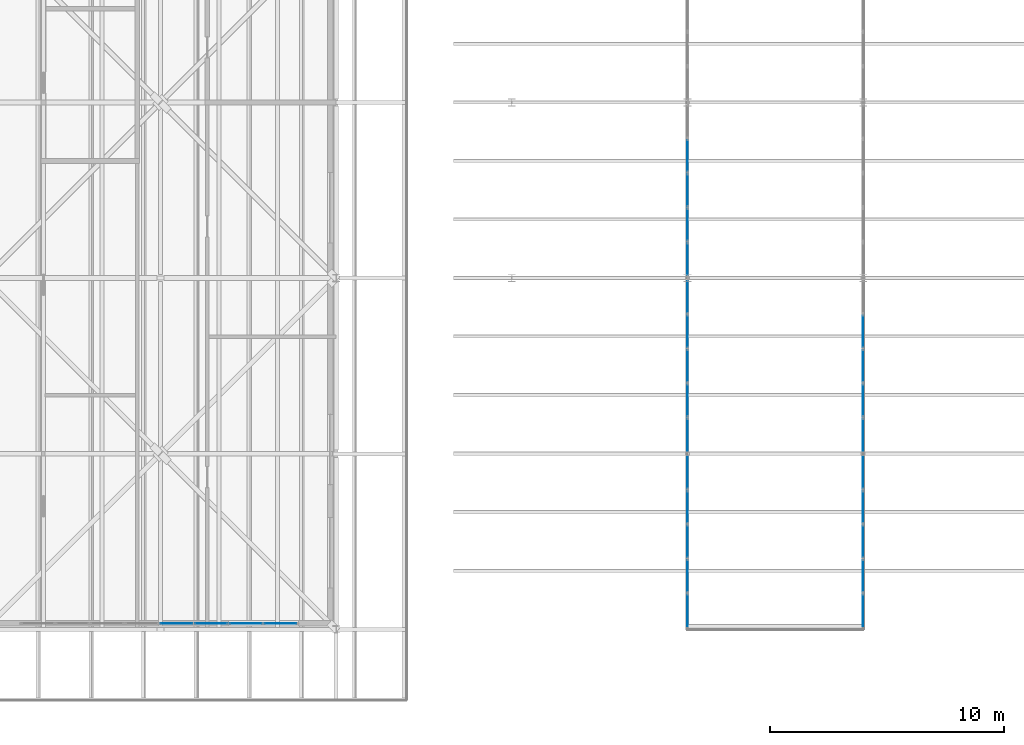
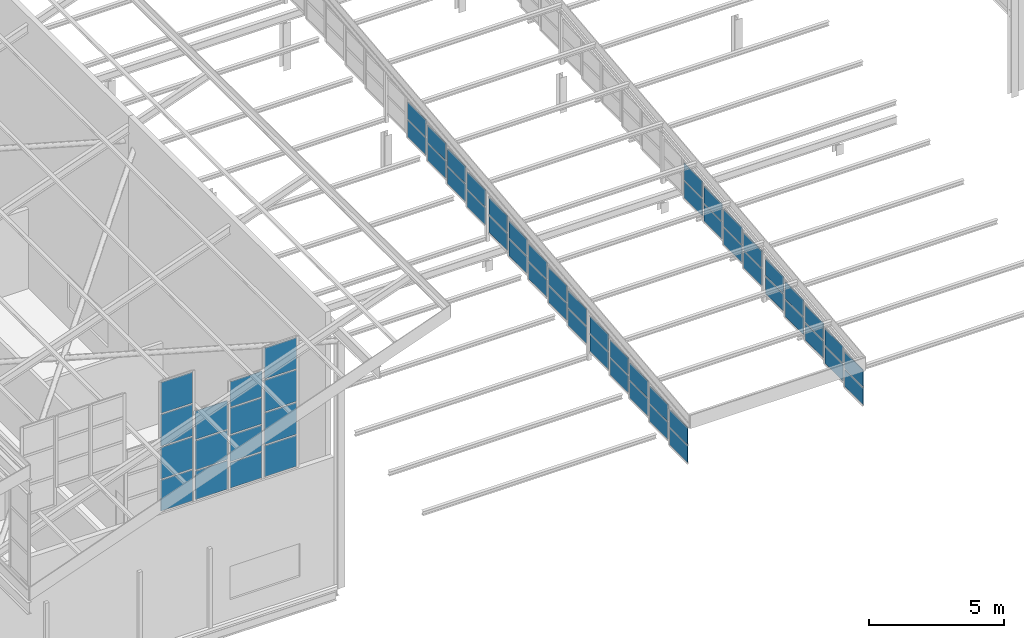
# One storey, part 111 of 483: 61 plates, 27 elements without a shape of their own.
"""IFC4 building model written with IfcOpenShell, lengths in metres."""

from ifc_helpers import new_model, si_unit, direction, frame, origin, origin_2d, place, context, subcontext, project, spatial, rectangle, extrude, material, layer, layer_set, type_object, element, aggregate, save


model = new_model("IFC4")

# Units and contexts
model_context = context("Model", 3, precision=1e-05, world=origin(), true_north=direction((0.0, 1.0)))
body_context = subcontext(model_context, "Body", "Model", "MODEL_VIEW")
ifc_project = project(units=[si_unit("LENGTHUNIT", "METRE"), si_unit("AREAUNIT", "SQUARE_METRE"), si_unit("VOLUMEUNIT", "CUBIC_METRE"), si_unit("PLANEANGLEUNIT", "RADIAN"), si_unit("MASSUNIT", "GRAM", prefix="KILO")], contexts=[model_context])

# Site, building, storey
site_placement = place(None, origin())
site = spatial("IfcSite", under=ifc_project, at=site_placement, CompositionType="ELEMENT")
building_placement = place(site_placement, origin())
building = spatial("IfcBuilding", under=site, at=building_placement, Name="Parallax Yard Mobility Hub", CompositionType="ELEMENT")
storey_placement = place(building_placement, frame((0.0, 0.0, 13.199951171875)))
storey = spatial("IfcBuildingStorey", under=building, at=storey_placement, Name="L04", CompositionType="ELEMENT", Elevation=13.199951171875)

# Curtain wall, plates
ifc_material_1 = material(Name="Thermally broken aluminium curtain wall system", Category="aluminium")
curtain_wall_type = type_object("IfcCurtainWallType", Name="Clerestory glazing run 60 x 120 frame", PredefinedType="NOTDEFINED", material=ifc_material_1)
curtain_wall_1_placement = place(storey_placement, origin())
curtain_wall_1 = element("IfcCurtainWall", 1, at=curtain_wall_1_placement, inside=storey, type_object=curtain_wall_type, Name="Clerestory glazing run Rooftop sports deck south bay 1 level L04", PredefinedType="NOTDEFINED")
ifc_material_2 = material(Name="Laminated low-E double glazing", Category="glass")
ifc_layer = layer(ifc_material_2, 0.028076171875)
ifc_layer_set = layer_set([ifc_layer], Name="Glazing panel 28")
plate_type = type_object("IfcPlateType", Name="Glazing panel 28", PredefinedType="CURTAIN_PANEL", material=ifc_layer_set)
plate_1_placement = place(storey_placement, frame((135.682373046875, 7.754638671875, 5.85986328125), z_axis=(0.0, 0.0, 1.0), x_axis=(1.0, 0.0, 0.0)))
plate_1 = element("IfcPlate", 2, at=plate_1_placement, type_object=plate_type, Name="CW4 panel 1.1", PredefinedType="CURTAIN_PANEL", context=body_context, shape_type="SweptSolid", body=[
    extrude(rectangle(XDim=1.36083984375, YDim=0.028076171875, at=origin_2d()), origin(), (0.0, 0.0, 1.0), 1.394775390625),
])
plate_2_placement = place(storey_placement, frame((135.682373046875, 7.754638671875, 7.31494140625), z_axis=(0.0, 0.0, 1.0), x_axis=(1.0, 0.0, 0.0)))
plate_2 = element("IfcPlate", 3, at=plate_2_placement, type_object=plate_type, Name="CW4 panel 1.2", PredefinedType="CURTAIN_PANEL", context=body_context, shape_type="SweptSolid", body=[
    extrude(rectangle(XDim=1.36083984375, YDim=0.028076171875, at=origin_2d()), origin(), (0.0, 0.0, 1.0), 1.424560546875),
])
plate_3_placement = place(storey_placement, frame((135.682373046875, 7.754638671875, 8.79931640625), z_axis=(0.0, 0.0, 1.0), x_axis=(1.0, 0.0, 0.0)))
plate_3 = element("IfcPlate", 4, at=plate_3_placement, type_object=plate_type, Name="CW4 panel 1.3", PredefinedType="CURTAIN_PANEL", context=body_context, shape_type="SweptSolid", body=[
    extrude(rectangle(XDim=1.36083984375, YDim=0.028076171875, at=origin_2d()), origin(), (0.0, 0.0, 1.0), 1.424560546875),
])
plate_4_placement = place(storey_placement, frame((135.682373046875, 7.754638671875, 10.28369140625), z_axis=(0.0, 0.0, 1.0), x_axis=(1.0, 0.0, 0.0)))
plate_4 = element("IfcPlate", 5, at=plate_4_placement, type_object=plate_type, Name="CW4 panel 1.4", PredefinedType="CURTAIN_PANEL", context=body_context, shape_type="SweptSolid", body=[
    extrude(rectangle(XDim=1.36083984375, YDim=0.028076171875, at=origin_2d()), origin(), (0.0, 0.0, 1.0), 1.394775390625),
])
aggregate(curtain_wall_1, [plate_1, plate_2, plate_3, plate_4])

curtain_wall_2_placement = place(storey_placement, origin())
curtain_wall_2 = element("IfcCurtainWall", 6, at=curtain_wall_2_placement, inside=storey, type_object=curtain_wall_type, Name="Clerestory glazing run Rooftop sports deck south bay 1 level L04", PredefinedType="NOTDEFINED")
plate_5_placement = place(storey_placement, frame((137.163330078125, 7.754638671875, 5.860107421875), z_axis=(0.0, 0.0, 1.0), x_axis=(1.0, 0.0, 0.0)))
plate_5 = element("IfcPlate", 7, at=plate_5_placement, type_object=plate_type, Name="CW4 panel 1.1", PredefinedType="CURTAIN_PANEL", context=body_context, shape_type="SweptSolid", body=[
    extrude(rectangle(XDim=1.36083984375, YDim=0.028076171875, at=origin_2d()), origin(), (0.0, 0.0, 1.0), 1.28515625),
])
plate_6_placement = place(storey_placement, frame((137.163330078125, 7.754638671875, 7.205078125), z_axis=(0.0, 0.0, 1.0), x_axis=(1.0, 0.0, 0.0)))
plate_6 = element("IfcPlate", 8, at=plate_6_placement, type_object=plate_type, Name="CW4 panel 1.2", PredefinedType="CURTAIN_PANEL", context=body_context, shape_type="SweptSolid", body=[
    extrude(rectangle(XDim=1.36083984375, YDim=0.028076171875, at=origin_2d()), origin(), (0.0, 0.0, 1.0), 1.315185546875),
])
plate_7_placement = place(storey_placement, frame((137.163330078125, 7.754638671875, 8.580322265625), z_axis=(0.0, 0.0, 1.0), x_axis=(1.0, 0.0, 0.0)))
plate_7 = element("IfcPlate", 9, at=plate_7_placement, type_object=plate_type, Name="CW4 panel 1.3", PredefinedType="CURTAIN_PANEL", context=body_context, shape_type="SweptSolid", body=[
    extrude(rectangle(XDim=1.36083984375, YDim=0.028076171875, at=origin_2d()), origin(), (0.0, 0.0, 1.0), 1.28515625),
])
aggregate(curtain_wall_2, [plate_5, plate_6, plate_7])

curtain_wall_3_placement = place(storey_placement, origin())
curtain_wall_3 = element("IfcCurtainWall", 10, at=curtain_wall_3_placement, inside=storey, type_object=curtain_wall_type, Name="Clerestory glazing run Rooftop sports deck south bay 1 level L04", PredefinedType="NOTDEFINED")
plate_8_placement = place(storey_placement, frame((138.644287109375, 7.754638671875, 5.85986328125), z_axis=(0.0, 0.0, 1.0), x_axis=(1.0, 0.0, 0.0)))
plate_8 = element("IfcPlate", 11, at=plate_8_placement, type_object=plate_type, Name="CW4 panel 1.1", PredefinedType="CURTAIN_PANEL", context=body_context, shape_type="SweptSolid", body=[
    extrude(rectangle(XDim=1.36083984375, YDim=0.028076171875, at=origin_2d()), origin(), (0.0, 0.0, 1.0), 1.143798828125),
])
plate_9_placement = place(storey_placement, frame((138.644287109375, 7.754638671875, 7.06396484375), z_axis=(0.0, 0.0, 1.0), x_axis=(1.0, 0.0, 0.0)))
plate_9 = element("IfcPlate", 12, at=plate_9_placement, type_object=plate_type, Name="CW4 panel 1.2", PredefinedType="CURTAIN_PANEL", context=body_context, shape_type="SweptSolid", body=[
    extrude(rectangle(XDim=1.36083984375, YDim=0.028076171875, at=origin_2d()), origin(), (0.0, 0.0, 1.0), 1.173828125),
])
plate_10_placement = place(storey_placement, frame((138.644287109375, 7.754638671875, 8.2978515625), z_axis=(0.0, 0.0, 1.0), x_axis=(1.0, 0.0, 0.0)))
plate_10 = element("IfcPlate", 13, at=plate_10_placement, type_object=plate_type, Name="CW4 panel 1.3", PredefinedType="CURTAIN_PANEL", context=body_context, shape_type="SweptSolid", body=[
    extrude(rectangle(XDim=1.36083984375, YDim=0.028076171875, at=origin_2d()), origin(), (0.0, 0.0, 1.0), 1.173828125),
])
plate_11_placement = place(storey_placement, frame((138.644287109375, 7.754638671875, 9.53173828125), z_axis=(0.0, 0.0, 1.0), x_axis=(1.0, 0.0, 0.0)))
plate_11 = element("IfcPlate", 14, at=plate_11_placement, type_object=plate_type, Name="CW4 panel 1.4", PredefinedType="CURTAIN_PANEL", context=body_context, shape_type="SweptSolid", body=[
    extrude(rectangle(XDim=1.36083984375, YDim=0.028076171875, at=origin_2d()), origin(), (0.0, 0.0, 1.0), 1.143798828125),
])
aggregate(curtain_wall_3, [plate_8, plate_9, plate_10, plate_11])

curtain_wall_4_placement = place(storey_placement, origin())
curtain_wall_4 = element("IfcCurtainWall", 15, at=curtain_wall_4_placement, inside=storey, type_object=curtain_wall_type, Name="Clerestory glazing run Rooftop sports deck south bay 1 level L04", PredefinedType="NOTDEFINED")
plate_12_placement = place(storey_placement, frame((140.125244140625, 7.754638671875, 5.85986328125), z_axis=(0.0, 0.0, 1.0), x_axis=(1.0, 0.0, 0.0)))
plate_12 = element("IfcPlate", 16, at=plate_12_placement, type_object=plate_type, Name="CW4 panel 1.1", PredefinedType="CURTAIN_PANEL", context=body_context, shape_type="SweptSolid", body=[
    extrude(rectangle(XDim=1.36083984375, YDim=0.028076171875, at=origin_2d()), origin(), (0.0, 0.0, 1.0), 1.394775390625),
])
plate_13_placement = place(storey_placement, frame((140.125244140625, 7.754638671875, 7.31494140625), z_axis=(0.0, 0.0, 1.0), x_axis=(1.0, 0.0, 0.0)))
plate_13 = element("IfcPlate", 17, at=plate_13_placement, type_object=plate_type, Name="CW4 panel 1.2", PredefinedType="CURTAIN_PANEL", context=body_context, shape_type="SweptSolid", body=[
    extrude(rectangle(XDim=1.36083984375, YDim=0.028076171875, at=origin_2d()), origin(), (0.0, 0.0, 1.0), 1.424560546875),
])
plate_14_placement = place(storey_placement, frame((140.125244140625, 7.754638671875, 8.79931640625), z_axis=(0.0, 0.0, 1.0), x_axis=(1.0, 0.0, 0.0)))
plate_14 = element("IfcPlate", 18, at=plate_14_placement, type_object=plate_type, Name="CW4 panel 1.3", PredefinedType="CURTAIN_PANEL", context=body_context, shape_type="SweptSolid", body=[
    extrude(rectangle(XDim=1.36083984375, YDim=0.028076171875, at=origin_2d()), origin(), (0.0, 0.0, 1.0), 1.424560546875),
])
plate_15_placement = place(storey_placement, frame((140.125244140625, 7.754638671875, 10.28369140625), z_axis=(0.0, 0.0, 1.0), x_axis=(1.0, 0.0, 0.0)))
plate_15 = element("IfcPlate", 19, at=plate_15_placement, type_object=plate_type, Name="CW4 panel 1.4", PredefinedType="CURTAIN_PANEL", context=body_context, shape_type="SweptSolid", body=[
    extrude(rectangle(XDim=1.36083984375, YDim=0.028076171875, at=origin_2d()), origin(), (0.0, 0.0, 1.0), 1.394775390625),
])
aggregate(curtain_wall_4, [plate_12, plate_13, plate_14, plate_15])

curtain_wall_5_placement = place(storey_placement, origin())
curtain_wall_5 = element("IfcCurtainWall", 20, at=curtain_wall_5_placement, inside=storey, type_object=curtain_wall_type, Name="Clerestory glazing run Bicycle and shared-mobility hall roof step 1 bay 1 level L02", PredefinedType="NOTDEFINED")
plate_16_placement = place(storey_placement, frame((157.5, 8.31103515625, 0.24853515625), z_axis=(0.0, 0.0, 1.0), x_axis=(0.0, 1.0, 0.0)))
plate_16 = element("IfcPlate", 21, at=plate_16_placement, type_object=plate_type, Name="CW4 panel 1.1", PredefinedType="CURTAIN_PANEL", context=body_context, shape_type="SweptSolid", body=[
    extrude(rectangle(XDim=1.349609375, YDim=0.028076171875, at=origin_2d()), origin(), (0.0, 0.0, 1.0), 0.757080078125),
])
plate_17_placement = place(storey_placement, frame((157.5, 8.31103515625, 1.0654296875), z_axis=(0.0, 0.0, 1.0), x_axis=(0.0, 1.0, 0.0)))
plate_17 = element("IfcPlate", 22, at=plate_17_placement, type_object=plate_type, Name="CW4 panel 1.2", PredefinedType="CURTAIN_PANEL", context=body_context, shape_type="SweptSolid", body=[
    extrude(rectangle(XDim=1.349609375, YDim=0.028076171875, at=origin_2d()), origin(), (0.0, 0.0, 1.0), 0.757080078125),
])
aggregate(curtain_wall_5, [plate_16, plate_17])

curtain_wall_6_placement = place(storey_placement, origin())
curtain_wall_6 = element("IfcCurtainWall", 23, at=curtain_wall_6_placement, inside=storey, type_object=curtain_wall_type, Name="Clerestory glazing run Bicycle and shared-mobility hall roof step 1 bay 1 level L02", PredefinedType="NOTDEFINED")
plate_18_placement = place(storey_placement, frame((157.5, 9.780517578125, 0.41162109375), z_axis=(0.0, 0.0, 1.0), x_axis=(0.0, 1.0, 0.0)))
plate_18 = element("IfcPlate", 24, at=plate_18_placement, type_object=plate_type, Name="CW4 panel 1.1", PredefinedType="CURTAIN_PANEL", context=body_context, shape_type="SweptSolid", body=[
    extrude(rectangle(XDim=1.349609375, YDim=0.028076171875, at=origin_2d()), origin(), (0.0, 0.0, 1.0), 0.7587890625),
])
plate_19_placement = place(storey_placement, frame((157.5, 9.780517578125, 1.23046875), z_axis=(0.0, 0.0, 1.0), x_axis=(0.0, 1.0, 0.0)))
plate_19 = element("IfcPlate", 25, at=plate_19_placement, type_object=plate_type, Name="CW4 panel 1.2", PredefinedType="CURTAIN_PANEL", context=body_context, shape_type="SweptSolid", body=[
    extrude(rectangle(XDim=1.349609375, YDim=0.028076171875, at=origin_2d()), origin(), (0.0, 0.0, 1.0), 0.7587890625),
])
aggregate(curtain_wall_6, [plate_18, plate_19])

curtain_wall_7_placement = place(storey_placement, origin())
curtain_wall_7 = element("IfcCurtainWall", 26, at=curtain_wall_7_placement, inside=storey, type_object=curtain_wall_type, Name="Clerestory glazing run Bicycle and shared-mobility hall roof step 1 bay 1 level L02", PredefinedType="NOTDEFINED")
plate_20_placement = place(storey_placement, frame((157.5, 11.25, 0.57470703125), z_axis=(0.0, 0.0, 1.0), x_axis=(0.0, 1.0, 0.0)))
plate_20 = element("IfcPlate", 27, at=plate_20_placement, type_object=plate_type, Name="CW4 panel 1.1", PredefinedType="CURTAIN_PANEL", context=body_context, shape_type="SweptSolid", body=[
    extrude(rectangle(XDim=1.349609375, YDim=0.028076171875, at=origin_2d()), origin(), (0.0, 0.0, 1.0), 0.760498046875),
])
plate_21_placement = place(storey_placement, frame((157.5, 11.25, 1.3955078125), z_axis=(0.0, 0.0, 1.0), x_axis=(0.0, 1.0, 0.0)))
plate_21 = element("IfcPlate", 28, at=plate_21_placement, type_object=plate_type, Name="CW4 panel 1.2", PredefinedType="CURTAIN_PANEL", context=body_context, shape_type="SweptSolid", body=[
    extrude(rectangle(XDim=1.349609375, YDim=0.028076171875, at=origin_2d()), origin(), (0.0, 0.0, 1.0), 0.760498046875),
])
aggregate(curtain_wall_7, [plate_20, plate_21])

curtain_wall_8_placement = place(storey_placement, origin())
curtain_wall_8 = element("IfcCurtainWall", 29, at=curtain_wall_8_placement, inside=storey, type_object=curtain_wall_type, Name="Clerestory glazing run Bicycle and shared-mobility hall roof step 1 bay 1 level L02", PredefinedType="NOTDEFINED")
plate_22_placement = place(storey_placement, frame((157.5, 12.719482421875, 0.73828125), z_axis=(0.0, 0.0, 1.0), x_axis=(0.0, 1.0, 0.0)))
plate_22 = element("IfcPlate", 30, at=plate_22_placement, type_object=plate_type, Name="CW4 panel 1.1", PredefinedType="CURTAIN_PANEL", context=body_context, shape_type="SweptSolid", body=[
    extrude(rectangle(XDim=1.349609375, YDim=0.028076171875, at=origin_2d()), origin(), (0.0, 0.0, 1.0), 0.756591796875),
])
plate_23_placement = place(storey_placement, frame((157.5, 12.719482421875, 1.5546875), z_axis=(0.0, 0.0, 1.0), x_axis=(0.0, 1.0, 0.0)))
plate_23 = element("IfcPlate", 31, at=plate_23_placement, type_object=plate_type, Name="CW4 panel 1.2", PredefinedType="CURTAIN_PANEL", context=body_context, shape_type="SweptSolid", body=[
    extrude(rectangle(XDim=1.349609375, YDim=0.028076171875, at=origin_2d()), origin(), (0.0, 0.0, 1.0), 0.756591796875),
])
aggregate(curtain_wall_8, [plate_22, plate_23])

curtain_wall_9_placement = place(storey_placement, origin())
curtain_wall_9 = element("IfcCurtainWall", 32, at=curtain_wall_9_placement, inside=storey, type_object=curtain_wall_type, Name="Clerestory glazing run Bicycle and shared-mobility hall roof step 1 bay 1 level L02", PredefinedType="NOTDEFINED")
plate_24_placement = place(storey_placement, frame((157.5, 14.18896484375, 0.9013671875), z_axis=(0.0, 0.0, 1.0), x_axis=(0.0, 1.0, 0.0)))
plate_24 = element("IfcPlate", 33, at=plate_24_placement, type_object=plate_type, Name="CW4 panel 1.1", PredefinedType="CURTAIN_PANEL", context=body_context, shape_type="SweptSolid", body=[
    extrude(rectangle(XDim=1.349609375, YDim=0.028076171875, at=origin_2d()), origin(), (0.0, 0.0, 1.0), 0.75830078125),
])
plate_25_placement = place(storey_placement, frame((157.5, 14.18896484375, 1.7197265625), z_axis=(0.0, 0.0, 1.0), x_axis=(0.0, 1.0, 0.0)))
plate_25 = element("IfcPlate", 34, at=plate_25_placement, type_object=plate_type, Name="CW4 panel 1.2", PredefinedType="CURTAIN_PANEL", context=body_context, shape_type="SweptSolid", body=[
    extrude(rectangle(XDim=1.349609375, YDim=0.028076171875, at=origin_2d()), origin(), (0.0, 0.0, 1.0), 0.75830078125),
])
aggregate(curtain_wall_9, [plate_24, plate_25])

curtain_wall_10_placement = place(storey_placement, origin())
curtain_wall_10 = element("IfcCurtainWall", 35, at=curtain_wall_10_placement, inside=storey, type_object=curtain_wall_type, Name="Clerestory glazing run Bicycle and shared-mobility hall roof step 1 bay 2 level L02", PredefinedType="NOTDEFINED")
plate_26_placement = place(storey_placement, frame((157.5, 15.81103515625, 1.08154296875), z_axis=(0.0, 0.0, 1.0), x_axis=(0.0, 1.0, 0.0)))
plate_26 = element("IfcPlate", 36, at=plate_26_placement, type_object=plate_type, Name="CW4 panel 1.1", PredefinedType="CURTAIN_PANEL", context=body_context, shape_type="SweptSolid", body=[
    extrude(rectangle(XDim=1.349609375, YDim=0.028076171875, at=origin_2d()), origin(), (0.0, 0.0, 1.0), 0.757080078125),
])
plate_27_placement = place(storey_placement, frame((157.5, 15.81103515625, 1.89892578125), z_axis=(0.0, 0.0, 1.0), x_axis=(0.0, 1.0, 0.0)))
plate_27 = element("IfcPlate", 37, at=plate_27_placement, type_object=plate_type, Name="CW4 panel 1.2", PredefinedType="CURTAIN_PANEL", context=body_context, shape_type="SweptSolid", body=[
    extrude(rectangle(XDim=1.349609375, YDim=0.028076171875, at=origin_2d()), origin(), (0.0, 0.0, 1.0), 0.757080078125),
])
aggregate(curtain_wall_10, [plate_26, plate_27])

curtain_wall_11_placement = place(storey_placement, origin())
curtain_wall_11 = element("IfcCurtainWall", 38, at=curtain_wall_11_placement, inside=storey, type_object=curtain_wall_type, Name="Clerestory glazing run Bicycle and shared-mobility hall roof step 1 bay 2 level L02", PredefinedType="NOTDEFINED")
plate_28_placement = place(storey_placement, frame((157.5, 17.280517578125, 1.244873046875), z_axis=(0.0, 0.0, 1.0), x_axis=(0.0, 1.0, 0.0)))
plate_28 = element("IfcPlate", 39, at=plate_28_placement, type_object=plate_type, Name="CW4 panel 1.1", PredefinedType="CURTAIN_PANEL", context=body_context, shape_type="SweptSolid", body=[
    extrude(rectangle(XDim=1.349609375, YDim=0.028076171875, at=origin_2d()), origin(), (0.0, 0.0, 1.0), 0.7587890625),
])
plate_29_placement = place(storey_placement, frame((157.5, 17.280517578125, 2.063720703125), z_axis=(0.0, 0.0, 1.0), x_axis=(0.0, 1.0, 0.0)))
plate_29 = element("IfcPlate", 40, at=plate_29_placement, type_object=plate_type, Name="CW4 panel 1.2", PredefinedType="CURTAIN_PANEL", context=body_context, shape_type="SweptSolid", body=[
    extrude(rectangle(XDim=1.349609375, YDim=0.028076171875, at=origin_2d()), origin(), (0.0, 0.0, 1.0), 0.7587890625),
])
aggregate(curtain_wall_11, [plate_28, plate_29])

curtain_wall_12_placement = place(storey_placement, origin())
curtain_wall_12 = element("IfcCurtainWall", 41, at=curtain_wall_12_placement, inside=storey, type_object=curtain_wall_type, Name="Clerestory glazing run Bicycle and shared-mobility hall roof step 1 bay 2 level L02", PredefinedType="NOTDEFINED")
plate_30_placement = place(storey_placement, frame((157.5, 18.75, 1.408203125), z_axis=(0.0, 0.0, 1.0), x_axis=(0.0, 1.0, 0.0)))
plate_30 = element("IfcPlate", 42, at=plate_30_placement, type_object=plate_type, Name="CW4 panel 1.1", PredefinedType="CURTAIN_PANEL", context=body_context, shape_type="SweptSolid", body=[
    extrude(rectangle(XDim=1.349609375, YDim=0.028076171875, at=origin_2d()), origin(), (0.0, 0.0, 1.0), 0.760498046875),
])
plate_31_placement = place(storey_placement, frame((157.5, 18.75, 2.228515625), z_axis=(0.0, 0.0, 1.0), x_axis=(0.0, 1.0, 0.0)))
plate_31 = element("IfcPlate", 43, at=plate_31_placement, type_object=plate_type, Name="CW4 panel 1.2", PredefinedType="CURTAIN_PANEL", context=body_context, shape_type="SweptSolid", body=[
    extrude(rectangle(XDim=1.349609375, YDim=0.028076171875, at=origin_2d()), origin(), (0.0, 0.0, 1.0), 0.760498046875),
])
aggregate(curtain_wall_12, [plate_30, plate_31])

curtain_wall_13_placement = place(storey_placement, origin())
curtain_wall_13 = element("IfcCurtainWall", 44, at=curtain_wall_13_placement, inside=storey, type_object=curtain_wall_type, Name="Clerestory glazing run Bicycle and shared-mobility hall roof step 1 bay 2 level L02", PredefinedType="NOTDEFINED")
plate_32_placement = place(storey_placement, frame((157.5, 20.219482421875, 1.5712890625), z_axis=(0.0, 0.0, 1.0), x_axis=(0.0, 1.0, 0.0)))
plate_32 = element("IfcPlate", 45, at=plate_32_placement, type_object=plate_type, Name="CW4 panel 1.1", PredefinedType="CURTAIN_PANEL", context=body_context, shape_type="SweptSolid", body=[
    extrude(rectangle(XDim=1.349609375, YDim=0.028076171875, at=origin_2d()), origin(), (0.0, 0.0, 1.0), 0.756591796875),
])
plate_33_placement = place(storey_placement, frame((157.5, 20.219482421875, 2.38818359375), z_axis=(0.0, 0.0, 1.0), x_axis=(0.0, 1.0, 0.0)))
plate_33 = element("IfcPlate", 46, at=plate_33_placement, type_object=plate_type, Name="CW4 panel 1.2", PredefinedType="CURTAIN_PANEL", context=body_context, shape_type="SweptSolid", body=[
    extrude(rectangle(XDim=1.349609375, YDim=0.028076171875, at=origin_2d()), origin(), (0.0, 0.0, 1.0), 0.756591796875),
])
aggregate(curtain_wall_13, [plate_32, plate_33])

curtain_wall_14_placement = place(storey_placement, origin())
curtain_wall_14 = element("IfcCurtainWall", 47, at=curtain_wall_14_placement, inside=storey, type_object=curtain_wall_type, Name="Clerestory glazing run Bicycle and shared-mobility hall roof step 1 bay 2 level L02", PredefinedType="NOTDEFINED")
plate_34_placement = place(storey_placement, frame((157.5, 21.68896484375, 1.73486328125), z_axis=(0.0, 0.0, 1.0), x_axis=(0.0, 1.0, 0.0)))
plate_34 = element("IfcPlate", 48, at=plate_34_placement, type_object=plate_type, Name="CW4 panel 1.1", PredefinedType="CURTAIN_PANEL", context=body_context, shape_type="SweptSolid", body=[
    extrude(rectangle(XDim=1.349609375, YDim=0.028076171875, at=origin_2d()), origin(), (0.0, 0.0, 1.0), 0.75830078125),
])
plate_35_placement = place(storey_placement, frame((157.5, 21.68896484375, 2.55322265625), z_axis=(0.0, 0.0, 1.0), x_axis=(0.0, 1.0, 0.0)))
plate_35 = element("IfcPlate", 49, at=plate_35_placement, type_object=plate_type, Name="CW4 panel 1.2", PredefinedType="CURTAIN_PANEL", context=body_context, shape_type="SweptSolid", body=[
    extrude(rectangle(XDim=1.349609375, YDim=0.028076171875, at=origin_2d()), origin(), (0.0, 0.0, 1.0), 0.75830078125),
])
aggregate(curtain_wall_14, [plate_34, plate_35])

curtain_wall_15_placement = place(storey_placement, origin())
curtain_wall_15 = element("IfcCurtainWall", 50, at=curtain_wall_15_placement, inside=storey, type_object=curtain_wall_type, Name="Clerestory glazing run Bicycle and shared-mobility hall roof step 1 bay 3 level L02", PredefinedType="NOTDEFINED")
plate_36_placement = place(storey_placement, frame((157.5, 23.31103515625, 1.9150390625), z_axis=(0.0, 0.0, 1.0), x_axis=(0.0, 1.0, 0.0)))
plate_36 = element("IfcPlate", 51, at=plate_36_placement, type_object=plate_type, Name="CW4 panel 1.1", PredefinedType="CURTAIN_PANEL", context=body_context, shape_type="SweptSolid", body=[
    extrude(rectangle(XDim=1.349609375, YDim=0.028076171875, at=origin_2d()), origin(), (0.0, 0.0, 1.0), 0.757080078125),
])
plate_37_placement = place(storey_placement, frame((157.5, 23.31103515625, 2.73193359375), z_axis=(0.0, 0.0, 1.0), x_axis=(0.0, 1.0, 0.0)))
plate_37 = element("IfcPlate", 52, at=plate_37_placement, type_object=plate_type, Name="CW4 panel 1.2", PredefinedType="CURTAIN_PANEL", context=body_context, shape_type="SweptSolid", body=[
    extrude(rectangle(XDim=1.349609375, YDim=0.028076171875, at=origin_2d()), origin(), (0.0, 0.0, 1.0), 0.757080078125),
])
aggregate(curtain_wall_15, [plate_36, plate_37])

curtain_wall_16_placement = place(storey_placement, origin())
curtain_wall_16 = element("IfcCurtainWall", 53, at=curtain_wall_16_placement, inside=storey, type_object=curtain_wall_type, Name="Clerestory glazing run Bicycle and shared-mobility hall roof step 1 bay 3 level L02", PredefinedType="NOTDEFINED")
plate_38_placement = place(storey_placement, frame((157.5, 24.780517578125, 2.078369140625), z_axis=(0.0, 0.0, 1.0), x_axis=(0.0, 1.0, 0.0)))
plate_38 = element("IfcPlate", 54, at=plate_38_placement, type_object=plate_type, Name="CW4 panel 1.1", PredefinedType="CURTAIN_PANEL", context=body_context, shape_type="SweptSolid", body=[
    extrude(rectangle(XDim=1.349609375, YDim=0.028076171875, at=origin_2d()), origin(), (0.0, 0.0, 1.0), 0.7587890625),
])
plate_39_placement = place(storey_placement, frame((157.5, 24.780517578125, 2.89697265625), z_axis=(0.0, 0.0, 1.0), x_axis=(0.0, 1.0, 0.0)))
plate_39 = element("IfcPlate", 55, at=plate_39_placement, type_object=plate_type, Name="CW4 panel 1.2", PredefinedType="CURTAIN_PANEL", context=body_context, shape_type="SweptSolid", body=[
    extrude(rectangle(XDim=1.349609375, YDim=0.028076171875, at=origin_2d()), origin(), (0.0, 0.0, 1.0), 0.7587890625),
])
aggregate(curtain_wall_16, [plate_38, plate_39])

curtain_wall_17_placement = place(storey_placement, origin())
curtain_wall_17 = element("IfcCurtainWall", 56, at=curtain_wall_17_placement, inside=storey, type_object=curtain_wall_type, Name="Clerestory glazing run Bicycle and shared-mobility hall roof step 1 bay 3 level L02", PredefinedType="NOTDEFINED")
plate_40_placement = place(storey_placement, frame((157.5, 26.25, 2.24169921875), z_axis=(0.0, 0.0, 1.0), x_axis=(0.0, 1.0, 0.0)))
plate_40 = element("IfcPlate", 57, at=plate_40_placement, type_object=plate_type, Name="CW4 panel 1.1", PredefinedType="CURTAIN_PANEL", context=body_context, shape_type="SweptSolid", body=[
    extrude(rectangle(XDim=1.349609375, YDim=0.028076171875, at=origin_2d()), origin(), (0.0, 0.0, 1.0), 0.760498046875),
])
plate_41_placement = place(storey_placement, frame((157.5, 26.25, 3.06201171875), z_axis=(0.0, 0.0, 1.0), x_axis=(0.0, 1.0, 0.0)))
plate_41 = element("IfcPlate", 58, at=plate_41_placement, type_object=plate_type, Name="CW4 panel 1.2", PredefinedType="CURTAIN_PANEL", context=body_context, shape_type="SweptSolid", body=[
    extrude(rectangle(XDim=1.349609375, YDim=0.028076171875, at=origin_2d()), origin(), (0.0, 0.0, 1.0), 0.760498046875),
])
aggregate(curtain_wall_17, [plate_40, plate_41])

curtain_wall_18_placement = place(storey_placement, origin())
curtain_wall_18 = element("IfcCurtainWall", 59, at=curtain_wall_18_placement, inside=storey, type_object=curtain_wall_type, Name="Clerestory glazing run Bicycle and shared-mobility hall roof step 1 bay 3 level L02", PredefinedType="NOTDEFINED")
plate_42_placement = place(storey_placement, frame((157.5, 27.719482421875, 2.40478515625), z_axis=(0.0, 0.0, 1.0), x_axis=(0.0, 1.0, 0.0)))
plate_42 = element("IfcPlate", 60, at=plate_42_placement, type_object=plate_type, Name="CW4 panel 1.1", PredefinedType="CURTAIN_PANEL", context=body_context, shape_type="SweptSolid", body=[
    extrude(rectangle(XDim=1.349609375, YDim=0.028076171875, at=origin_2d()), origin(), (0.0, 0.0, 1.0), 0.756591796875),
])
plate_43_placement = place(storey_placement, frame((157.5, 27.719482421875, 3.2216796875), z_axis=(0.0, 0.0, 1.0), x_axis=(0.0, 1.0, 0.0)))
plate_43 = element("IfcPlate", 61, at=plate_43_placement, type_object=plate_type, Name="CW4 panel 1.2", PredefinedType="CURTAIN_PANEL", context=body_context, shape_type="SweptSolid", body=[
    extrude(rectangle(XDim=1.349609375, YDim=0.028076171875, at=origin_2d()), origin(), (0.0, 0.0, 1.0), 0.756591796875),
])
aggregate(curtain_wall_18, [plate_42, plate_43])

curtain_wall_19_placement = place(storey_placement, origin())
curtain_wall_19 = element("IfcCurtainWall", 62, at=curtain_wall_19_placement, inside=storey, type_object=curtain_wall_type, Name="Clerestory glazing run Bicycle and shared-mobility hall roof step 2 bay 1 level L02", PredefinedType="NOTDEFINED")
plate_44_placement = place(storey_placement, frame((165.0, 8.31103515625, 0.24853515625), z_axis=(0.0, 0.0, 1.0), x_axis=(0.0, 1.0, 0.0)))
plate_44 = element("IfcPlate", 63, at=plate_44_placement, type_object=plate_type, Name="CW4 panel 1.1", PredefinedType="CURTAIN_PANEL", context=body_context, shape_type="SweptSolid", body=[
    extrude(rectangle(XDim=1.349609375, YDim=0.028076171875, at=origin_2d()), origin(), (0.0, 0.0, 1.0), 0.757080078125),
])
plate_45_placement = place(storey_placement, frame((165.0, 8.31103515625, 1.0654296875), z_axis=(0.0, 0.0, 1.0), x_axis=(0.0, 1.0, 0.0)))
plate_45 = element("IfcPlate", 64, at=plate_45_placement, type_object=plate_type, Name="CW4 panel 1.2", PredefinedType="CURTAIN_PANEL", context=body_context, shape_type="SweptSolid", body=[
    extrude(rectangle(XDim=1.349609375, YDim=0.028076171875, at=origin_2d()), origin(), (0.0, 0.0, 1.0), 0.757080078125),
])
aggregate(curtain_wall_19, [plate_44, plate_45])

curtain_wall_20_placement = place(storey_placement, origin())
curtain_wall_20 = element("IfcCurtainWall", 65, at=curtain_wall_20_placement, inside=storey, type_object=curtain_wall_type, Name="Clerestory glazing run Bicycle and shared-mobility hall roof step 2 bay 1 level L02", PredefinedType="NOTDEFINED")
plate_46_placement = place(storey_placement, frame((165.0, 9.780517578125, 0.41162109375), z_axis=(0.0, 0.0, 1.0), x_axis=(0.0, 1.0, 0.0)))
plate_46 = element("IfcPlate", 66, at=plate_46_placement, type_object=plate_type, Name="CW4 panel 1.1", PredefinedType="CURTAIN_PANEL", context=body_context, shape_type="SweptSolid", body=[
    extrude(rectangle(XDim=1.349609375, YDim=0.028076171875, at=origin_2d()), origin(), (0.0, 0.0, 1.0), 0.7587890625),
])
plate_47_placement = place(storey_placement, frame((165.0, 9.780517578125, 1.23046875), z_axis=(0.0, 0.0, 1.0), x_axis=(0.0, 1.0, 0.0)))
plate_47 = element("IfcPlate", 67, at=plate_47_placement, type_object=plate_type, Name="CW4 panel 1.2", PredefinedType="CURTAIN_PANEL", context=body_context, shape_type="SweptSolid", body=[
    extrude(rectangle(XDim=1.349609375, YDim=0.028076171875, at=origin_2d()), origin(), (0.0, 0.0, 1.0), 0.7587890625),
])
aggregate(curtain_wall_20, [plate_46, plate_47])

curtain_wall_21_placement = place(storey_placement, origin())
curtain_wall_21 = element("IfcCurtainWall", 68, at=curtain_wall_21_placement, inside=storey, type_object=curtain_wall_type, Name="Clerestory glazing run Bicycle and shared-mobility hall roof step 2 bay 1 level L02", PredefinedType="NOTDEFINED")
plate_48_placement = place(storey_placement, frame((165.0, 11.25, 0.57470703125), z_axis=(0.0, 0.0, 1.0), x_axis=(0.0, 1.0, 0.0)))
plate_48 = element("IfcPlate", 69, at=plate_48_placement, type_object=plate_type, Name="CW4 panel 1.1", PredefinedType="CURTAIN_PANEL", context=body_context, shape_type="SweptSolid", body=[
    extrude(rectangle(XDim=1.349609375, YDim=0.028076171875, at=origin_2d()), origin(), (0.0, 0.0, 1.0), 0.760498046875),
])
plate_49_placement = place(storey_placement, frame((165.0, 11.25, 1.3955078125), z_axis=(0.0, 0.0, 1.0), x_axis=(0.0, 1.0, 0.0)))
plate_49 = element("IfcPlate", 70, at=plate_49_placement, type_object=plate_type, Name="CW4 panel 1.2", PredefinedType="CURTAIN_PANEL", context=body_context, shape_type="SweptSolid", body=[
    extrude(rectangle(XDim=1.349609375, YDim=0.028076171875, at=origin_2d()), origin(), (0.0, 0.0, 1.0), 0.760498046875),
])
aggregate(curtain_wall_21, [plate_48, plate_49])

curtain_wall_22_placement = place(storey_placement, origin())
curtain_wall_22 = element("IfcCurtainWall", 71, at=curtain_wall_22_placement, inside=storey, type_object=curtain_wall_type, Name="Clerestory glazing run Bicycle and shared-mobility hall roof step 2 bay 1 level L02", PredefinedType="NOTDEFINED")
plate_50_placement = place(storey_placement, frame((165.0, 12.719482421875, 0.73828125), z_axis=(0.0, 0.0, 1.0), x_axis=(0.0, 1.0, 0.0)))
plate_50 = element("IfcPlate", 72, at=plate_50_placement, type_object=plate_type, Name="CW4 panel 1.1", PredefinedType="CURTAIN_PANEL", context=body_context, shape_type="SweptSolid", body=[
    extrude(rectangle(XDim=1.349609375, YDim=0.028076171875, at=origin_2d()), origin(), (0.0, 0.0, 1.0), 0.756591796875),
])
plate_51_placement = place(storey_placement, frame((165.0, 12.719482421875, 1.5546875), z_axis=(0.0, 0.0, 1.0), x_axis=(0.0, 1.0, 0.0)))
plate_51 = element("IfcPlate", 73, at=plate_51_placement, type_object=plate_type, Name="CW4 panel 1.2", PredefinedType="CURTAIN_PANEL", context=body_context, shape_type="SweptSolid", body=[
    extrude(rectangle(XDim=1.349609375, YDim=0.028076171875, at=origin_2d()), origin(), (0.0, 0.0, 1.0), 0.756591796875),
])
aggregate(curtain_wall_22, [plate_50, plate_51])

curtain_wall_23_placement = place(storey_placement, origin())
curtain_wall_23 = element("IfcCurtainWall", 74, at=curtain_wall_23_placement, inside=storey, type_object=curtain_wall_type, Name="Clerestory glazing run Bicycle and shared-mobility hall roof step 2 bay 1 level L02", PredefinedType="NOTDEFINED")
plate_52_placement = place(storey_placement, frame((165.0, 14.18896484375, 0.9013671875), z_axis=(0.0, 0.0, 1.0), x_axis=(0.0, 1.0, 0.0)))
plate_52 = element("IfcPlate", 75, at=plate_52_placement, type_object=plate_type, Name="CW4 panel 1.1", PredefinedType="CURTAIN_PANEL", context=body_context, shape_type="SweptSolid", body=[
    extrude(rectangle(XDim=1.349609375, YDim=0.028076171875, at=origin_2d()), origin(), (0.0, 0.0, 1.0), 0.75830078125),
])
plate_53_placement = place(storey_placement, frame((165.0, 14.18896484375, 1.7197265625), z_axis=(0.0, 0.0, 1.0), x_axis=(0.0, 1.0, 0.0)))
plate_53 = element("IfcPlate", 76, at=plate_53_placement, type_object=plate_type, Name="CW4 panel 1.2", PredefinedType="CURTAIN_PANEL", context=body_context, shape_type="SweptSolid", body=[
    extrude(rectangle(XDim=1.349609375, YDim=0.028076171875, at=origin_2d()), origin(), (0.0, 0.0, 1.0), 0.75830078125),
])
aggregate(curtain_wall_23, [plate_52, plate_53])

curtain_wall_24_placement = place(storey_placement, origin())
curtain_wall_24 = element("IfcCurtainWall", 77, at=curtain_wall_24_placement, inside=storey, type_object=curtain_wall_type, Name="Clerestory glazing run Bicycle and shared-mobility hall roof step 2 bay 2 level L02", PredefinedType="NOTDEFINED")
plate_54_placement = place(storey_placement, frame((165.0, 15.81103515625, 1.08154296875), z_axis=(0.0, 0.0, 1.0), x_axis=(0.0, 1.0, 0.0)))
plate_54 = element("IfcPlate", 78, at=plate_54_placement, type_object=plate_type, Name="CW4 panel 1.1", PredefinedType="CURTAIN_PANEL", context=body_context, shape_type="SweptSolid", body=[
    extrude(rectangle(XDim=1.349609375, YDim=0.028076171875, at=origin_2d()), origin(), (0.0, 0.0, 1.0), 0.757080078125),
])
plate_55_placement = place(storey_placement, frame((165.0, 15.81103515625, 1.89892578125), z_axis=(0.0, 0.0, 1.0), x_axis=(0.0, 1.0, 0.0)))
plate_55 = element("IfcPlate", 79, at=plate_55_placement, type_object=plate_type, Name="CW4 panel 1.2", PredefinedType="CURTAIN_PANEL", context=body_context, shape_type="SweptSolid", body=[
    extrude(rectangle(XDim=1.349609375, YDim=0.028076171875, at=origin_2d()), origin(), (0.0, 0.0, 1.0), 0.757080078125),
])
aggregate(curtain_wall_24, [plate_54, plate_55])

curtain_wall_25_placement = place(storey_placement, origin())
curtain_wall_25 = element("IfcCurtainWall", 80, at=curtain_wall_25_placement, inside=storey, type_object=curtain_wall_type, Name="Clerestory glazing run Bicycle and shared-mobility hall roof step 2 bay 2 level L02", PredefinedType="NOTDEFINED")
plate_56_placement = place(storey_placement, frame((165.0, 17.280517578125, 1.244873046875), z_axis=(0.0, 0.0, 1.0), x_axis=(0.0, 1.0, 0.0)))
plate_56 = element("IfcPlate", 81, at=plate_56_placement, type_object=plate_type, Name="CW4 panel 1.1", PredefinedType="CURTAIN_PANEL", context=body_context, shape_type="SweptSolid", body=[
    extrude(rectangle(XDim=1.349609375, YDim=0.028076171875, at=origin_2d()), origin(), (0.0, 0.0, 1.0), 0.7587890625),
])
plate_57_placement = place(storey_placement, frame((165.0, 17.280517578125, 2.063720703125), z_axis=(0.0, 0.0, 1.0), x_axis=(0.0, 1.0, 0.0)))
plate_57 = element("IfcPlate", 82, at=plate_57_placement, type_object=plate_type, Name="CW4 panel 1.2", PredefinedType="CURTAIN_PANEL", context=body_context, shape_type="SweptSolid", body=[
    extrude(rectangle(XDim=1.349609375, YDim=0.028076171875, at=origin_2d()), origin(), (0.0, 0.0, 1.0), 0.7587890625),
])
aggregate(curtain_wall_25, [plate_56, plate_57])

curtain_wall_26_placement = place(storey_placement, origin())
curtain_wall_26 = element("IfcCurtainWall", 83, at=curtain_wall_26_placement, inside=storey, type_object=curtain_wall_type, Name="Clerestory glazing run Bicycle and shared-mobility hall roof step 2 bay 2 level L02", PredefinedType="NOTDEFINED")
plate_58_placement = place(storey_placement, frame((165.0, 18.75, 1.408203125), z_axis=(0.0, 0.0, 1.0), x_axis=(0.0, 1.0, 0.0)))
plate_58 = element("IfcPlate", 84, at=plate_58_placement, type_object=plate_type, Name="CW4 panel 1.1", PredefinedType="CURTAIN_PANEL", context=body_context, shape_type="SweptSolid", body=[
    extrude(rectangle(XDim=1.349609375, YDim=0.028076171875, at=origin_2d()), origin(), (0.0, 0.0, 1.0), 0.760498046875),
])
plate_59_placement = place(storey_placement, frame((165.0, 18.75, 2.228515625), z_axis=(0.0, 0.0, 1.0), x_axis=(0.0, 1.0, 0.0)))
plate_59 = element("IfcPlate", 85, at=plate_59_placement, type_object=plate_type, Name="CW4 panel 1.2", PredefinedType="CURTAIN_PANEL", context=body_context, shape_type="SweptSolid", body=[
    extrude(rectangle(XDim=1.349609375, YDim=0.028076171875, at=origin_2d()), origin(), (0.0, 0.0, 1.0), 0.760498046875),
])
aggregate(curtain_wall_26, [plate_58, plate_59])

curtain_wall_27_placement = place(storey_placement, origin())
curtain_wall_27 = element("IfcCurtainWall", 86, at=curtain_wall_27_placement, inside=storey, type_object=curtain_wall_type, Name="Clerestory glazing run Bicycle and shared-mobility hall roof step 2 bay 2 level L02", PredefinedType="NOTDEFINED")
plate_60_placement = place(storey_placement, frame((165.0, 20.219482421875, 1.5712890625), z_axis=(0.0, 0.0, 1.0), x_axis=(0.0, 1.0, 0.0)))
plate_60 = element("IfcPlate", 87, at=plate_60_placement, type_object=plate_type, Name="CW4 panel 1.1", PredefinedType="CURTAIN_PANEL", context=body_context, shape_type="SweptSolid", body=[
    extrude(rectangle(XDim=1.349609375, YDim=0.028076171875, at=origin_2d()), origin(), (0.0, 0.0, 1.0), 0.756591796875),
])
plate_61_placement = place(storey_placement, frame((165.0, 20.219482421875, 2.38818359375), z_axis=(0.0, 0.0, 1.0), x_axis=(0.0, 1.0, 0.0)))
plate_61 = element("IfcPlate", 88, at=plate_61_placement, type_object=plate_type, Name="CW4 panel 1.2", PredefinedType="CURTAIN_PANEL", context=body_context, shape_type="SweptSolid", body=[
    extrude(rectangle(XDim=1.349609375, YDim=0.028076171875, at=origin_2d()), origin(), (0.0, 0.0, 1.0), 0.756591796875),
])
aggregate(curtain_wall_27, [plate_60, plate_61])

save(model, "model.ifc")
